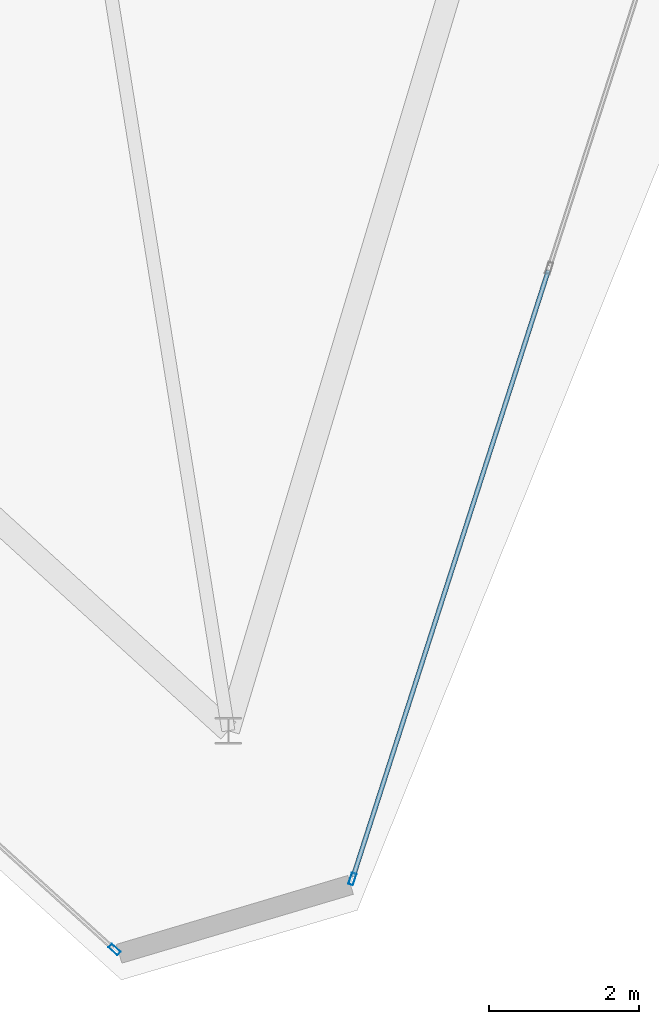
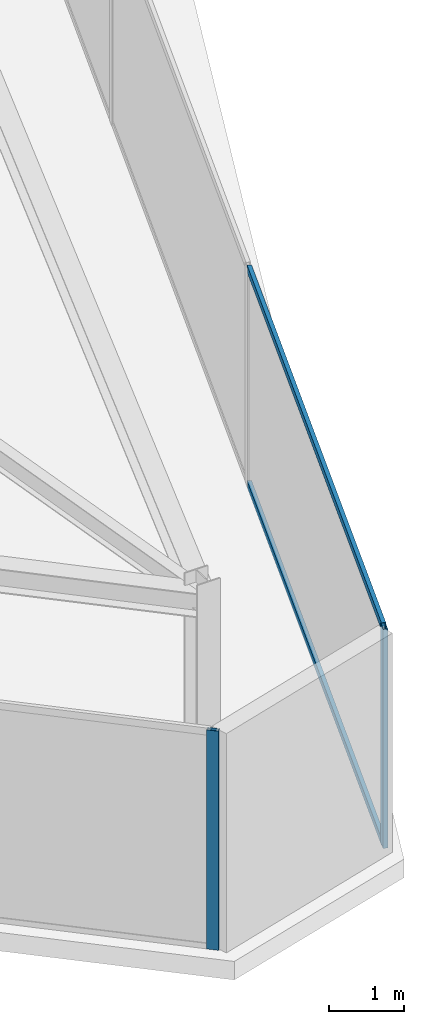
# One storey, part 5 of 14: 4 members, 2 elements without a shape of their own.
"""IFC4 building model written with IfcOpenShell, lengths in metres."""

from ifc_helpers import new_model, si_unit, direction, frame, origin, origin_2d, place, context, subcontext, project, spatial, hollow_rectangle, extrude, material, layer, layer_set, material_profile, profile_set, type_object, element, aggregate, save


model = new_model("IFC4")

# Units and contexts
model_context = context("Model", 3, precision=1e-05, world=origin(), true_north=direction((0.0, 1.0)))
body_context = subcontext(model_context, "Body", "Model", "MODEL_VIEW")
ifc_project = project(units=[si_unit("LENGTHUNIT", "METRE"), si_unit("AREAUNIT", "SQUARE_METRE"), si_unit("VOLUMEUNIT", "CUBIC_METRE"), si_unit("PLANEANGLEUNIT", "RADIAN"), si_unit("MASSUNIT", "GRAM", prefix="KILO")], contexts=[model_context])

# Site, building, storey
site_placement = place(None, origin())
site = spatial("IfcSite", under=ifc_project, at=site_placement, CompositionType="ELEMENT")
building_placement = place(site_placement, origin())
building = spatial("IfcBuilding", under=site, at=building_placement, Name="Qianvela Tower", CompositionType="ELEMENT")
storey_placement = place(building_placement, frame((0.0, 0.0, 356.300048828125)))
storey = spatial("IfcBuildingStorey", under=building, at=storey_placement, Name="L92", CompositionType="ELEMENT", Elevation=356.300048828125)

# Curtain wall, member
ifc_material_1 = material(Name="Anodised Architectural Aluminium and Low-E Glass", Category="aluminium")
ifc_layer = layer(ifc_material_1, 0.159912109375)
ifc_layer_set = layer_set([ifc_layer], Name="Anodised Architectural Aluminium and Low-E Glass")
curtain_wall_type = type_object("IfcCurtainWallType", Name="CW-CROWN", PredefinedType="USERDEFINED", material=ifc_layer_set)
curtain_wall_1_placement = place(storey_placement, origin())
curtain_wall_1 = element("IfcCurtainWall", 1, at=curtain_wall_1_placement, inside=storey, type_object=curtain_wall_type, Name="L92 CW-CROWN Curtain Wall 04", ObjectType="CURTAIN_WALL_SYSTEM", PredefinedType="USERDEFINED")
ifc_material_2 = material(Name="Anodised Architectural Aluminium 6063-T6", Category="aluminium")
ifc_material_profile_1 = material_profile(ifc_material_2, hollow_rectangle(XDim=0.06494140625, YDim=0.159912109375, WallThickness=0.0048828125, at=origin_2d()), Name="ALU-MULL-65x160")
ifc_profile_set_1 = profile_set([ifc_material_profile_1], Name="Anodised Architectural Aluminium 6063-T6")
member_type_1 = type_object("IfcMemberType", Name="CW-CROWN-MULL", PredefinedType="MULLION", material=ifc_profile_set_1)
member_1_placement = place(storey_placement, frame((39.091064453125, 7.117919921875, 0.0), z_axis=(0.0, 0.0, 1.0), x_axis=(0.671201978645, 0.741274513162, 0.0)))
member_1 = element("IfcMember", 2, at=member_1_placement, type_object=member_type_1, Name="CW-8 mullion 4", PredefinedType="MULLION", context=body_context, shape_type="SweptSolid", body=[
    extrude(hollow_rectangle(XDim=0.06494140625, YDim=0.159912109375, WallThickness=0.0048828125, at=origin_2d()), origin(), (0.0, 0.0, 1.0), 3.550048828125),
])
aggregate(curtain_wall_1, [member_1])

# Curtain wall, members
curtain_wall_2_placement = place(storey_placement, origin())
curtain_wall_2 = element("IfcCurtainWall", 3, at=curtain_wall_2_placement, inside=storey, type_object=curtain_wall_type, Name="L92 CW-CROWN Curtain Wall 06", ObjectType="CURTAIN_WALL_SYSTEM", PredefinedType="USERDEFINED")
member_2_placement = place(storey_placement, frame((42.253173828125, 8.056396484375, 0.0), z_axis=(0.0, 0.0, 1.0), x_axis=(-0.951894457902, 0.306426077572, 0.0)))
member_2 = element("IfcMember", 4, at=member_2_placement, type_object=member_type_1, Name="CW-8 mullion 1", PredefinedType="MULLION", context=body_context, shape_type="SweptSolid", body=[
    extrude(hollow_rectangle(XDim=0.06494140625, YDim=0.159912109375, WallThickness=0.0048828125, at=origin_2d()), origin(), (0.0, 0.0, 1.0), 3.550048828125),
])
ifc_material_3 = material(Name="Anodised Architectural Aluminium 6063-T6", Category="aluminium")
ifc_material_profile_2 = material_profile(ifc_material_3, hollow_rectangle(XDim=0.06005859375, YDim=0.114990234375, WallThickness=0.00390625, at=origin_2d()), Name="ALU-TRAN-60x115")
ifc_profile_set_2 = profile_set([ifc_material_profile_2], Name="Anodised Architectural Aluminium 6063-T6")
member_type_2 = type_object("IfcMemberType", Name="CW-CROWN-TRAN", PredefinedType="USERDEFINED", material=ifc_profile_set_2)
member_3_placement = place(storey_placement, frame((42.26318359375, 8.08740234375, 0.030029296875), z_axis=(0.306441445999, 0.951889510486, 0.0), x_axis=(-0.951889510486, 0.306441445999, 0.0)))
member_3 = element("IfcMember", 5, at=member_3_placement, type_object=member_type_2, Name="CW-8 transom 1.1", ObjectType="TRANSOM", PredefinedType="USERDEFINED", context=body_context, shape_type="SweptSolid", body=[
    extrude(hollow_rectangle(XDim=0.06005859375, YDim=0.114990234375, WallThickness=0.00390625, at=origin_2d()), origin(), (0.0, 0.0, 1.0), 8.464111328125),
])
member_4_placement = place(storey_placement, frame((42.26318359375, 8.08740234375, 3.52001953125), z_axis=(0.306441445999, 0.951889510486, 0.0), x_axis=(-0.951889510486, 0.306441445999, 0.0)))
member_4 = element("IfcMember", 6, at=member_4_placement, type_object=member_type_2, Name="CW-8 transom 1.2", ObjectType="TRANSOM", PredefinedType="USERDEFINED", context=body_context, shape_type="SweptSolid", body=[
    extrude(hollow_rectangle(XDim=0.06005859375, YDim=0.114990234375, WallThickness=0.00390625, at=origin_2d()), origin(), (0.0, 0.0, 1.0), 8.464111328125),
])
aggregate(curtain_wall_2, [member_2, member_3, member_4])

save(model, "model.ifc")
